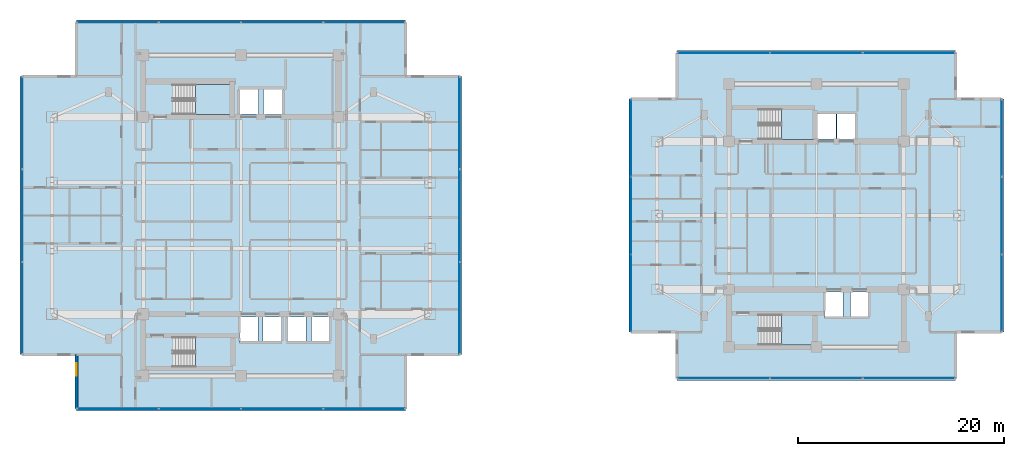
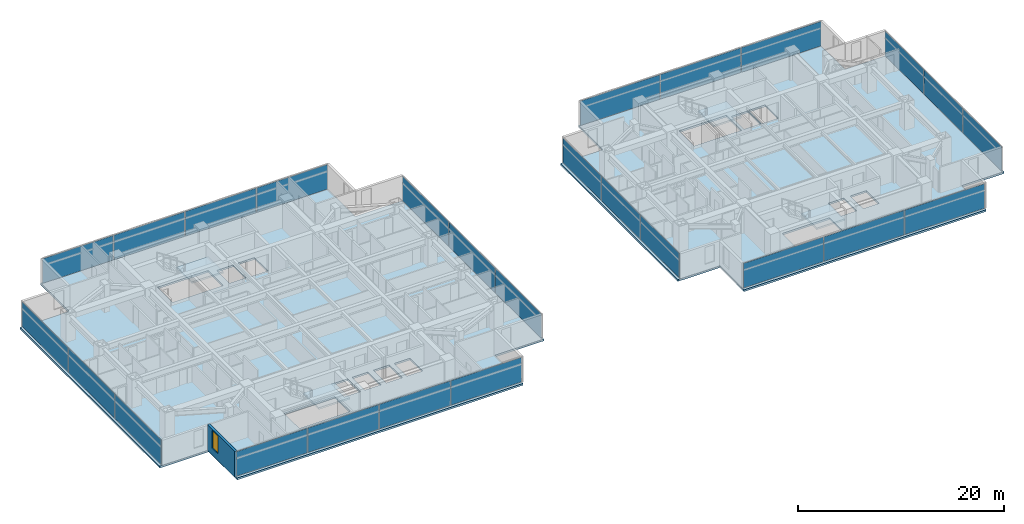
# One storey, part 11 of 24: 26 plates, 6 slabs, 1 wall, 1 window, 1 opening, 12 elements without a shape of their own.
"""IFC4 building model written with IfcOpenShell, lengths in metres."""

from ifc_helpers import new_model, si_unit, direction, frame, frame_2d, origin, origin_2d, place, context, subcontext, project, spatial, polyline, rectangle, outline, extrude, material, layer, layer_set, type_object, element, fill, aggregate, save


model = new_model("IFC4")

# Units and contexts
model_context = context("Model", 3, precision=1e-05, world=origin(), true_north=direction((0.0, 1.0)))
body_context = subcontext(model_context, "Body", "Model", "MODEL_VIEW")
ifc_project = project(units=[si_unit("LENGTHUNIT", "METRE"), si_unit("AREAUNIT", "SQUARE_METRE"), si_unit("VOLUMEUNIT", "CUBIC_METRE"), si_unit("PLANEANGLEUNIT", "RADIAN"), si_unit("MASSUNIT", "GRAM", prefix="KILO")], contexts=[model_context])

# Site, building, storey
site_placement = place(None, origin())
site = spatial("IfcSite", under=ifc_project, at=site_placement, CompositionType="ELEMENT")
building_placement = place(site_placement, origin())
building = spatial("IfcBuilding", under=site, at=building_placement, Name="Mirazonda Arch Towers", CompositionType="ELEMENT")
storey_placement = place(building_placement, frame((0.0, 0.0, 134.60009765625)))
storey = spatial("IfcBuildingStorey", under=building, at=storey_placement, Name="L38", CompositionType="ELEMENT", Elevation=134.60009765625)

# Curtain wall, plates
ifc_material_1 = material(Name="Anodised Aluminium and Low-E Glass", Category="aluminium")
curtain_wall_type = type_object("IfcCurtainWallType", Name="CW-HTL-UNIT", PredefinedType="NOTDEFINED", material=ifc_material_1)
curtain_wall_1_placement = place(storey_placement, origin())
curtain_wall_1 = element("IfcCurtainWall", 1, at=curtain_wall_1_placement, inside=storey, type_object=curtain_wall_type, Name="L38 T1 S Facade CW-L38-T1-S", PredefinedType="NOTDEFINED")
ifc_material_2 = material(Name="Insulated Low-E Solar Glass", Category="glass")
ifc_layer_1 = layer(ifc_material_2, 0.035888671875, Name="PAN-CW-HTL-UNIT")
ifc_layer_set_1 = layer_set([ifc_layer_1], Name="Insulated Low-E Solar Glass")
plate_type = type_object("IfcPlateType", Name="PAN-CW-HTL-UNIT", PredefinedType="CURTAIN_PANEL", material=ifc_layer_set_1)
plate_1_placement = place(storey_placement, frame((32.48876953125, 9.18994140625, 0.07470703125), z_axis=(0.0, 0.0, 1.0), x_axis=(-1.0, 0.0, 0.0)))
plate_1 = element("IfcPlate", 2, at=plate_1_placement, type_object=plate_type, Name="CW-112 panel 1.1", PredefinedType="CURTAIN_PANEL", context=body_context, shape_type="SweptSolid", body=[
    extrude(rectangle(XDim=7.892578125, YDim=0.035888671875, at=origin_2d()), origin(), (0.0, 0.0, 1.0), 2.909912109375),
])
plate_2_placement = place(storey_placement, frame((24.50244140625, 9.18994140625, 0.07470703125), z_axis=(0.0, 0.0, 1.0), x_axis=(-1.0, 0.0, 0.0)))
plate_2 = element("IfcPlate", 3, at=plate_2_placement, type_object=plate_type, Name="CW-112 panel 2.1", PredefinedType="CURTAIN_PANEL", context=body_context, shape_type="SweptSolid", body=[
    extrude(rectangle(XDim=7.929931640625, YDim=0.035888671875, at=origin_2d()), origin(), (0.0, 0.0, 1.0), 2.909912109375),
])
plate_3_placement = place(storey_placement, frame((16.49755859375, 9.18994140625, 0.07470703125), z_axis=(0.0, 0.0, 1.0), x_axis=(-1.0, 0.0, 0.0)))
plate_3 = element("IfcPlate", 4, at=plate_3_placement, type_object=plate_type, Name="CW-112 panel 3.1", PredefinedType="CURTAIN_PANEL", context=body_context, shape_type="SweptSolid", body=[
    extrude(rectangle(XDim=7.929931640625, YDim=0.035888671875, at=origin_2d()), origin(), (0.0, 0.0, 1.0), 2.909912109375),
])
plate_4_placement = place(storey_placement, frame((8.51123046875, 9.18994140625, 0.07470703125), z_axis=(0.0, 0.0, 1.0), x_axis=(-1.0, 0.0, 0.0)))
plate_4 = element("IfcPlate", 5, at=plate_4_placement, type_object=plate_type, Name="CW-112 panel 4.1", PredefinedType="CURTAIN_PANEL", context=body_context, shape_type="SweptSolid", body=[
    extrude(rectangle(XDim=7.892578125, YDim=0.035888671875, at=origin_2d()), origin(), (0.0, 0.0, 1.0), 2.909912109375),
])
aggregate(curtain_wall_1, [plate_1, plate_2, plate_3, plate_4])

curtain_wall_2_placement = place(storey_placement, origin())
curtain_wall_2 = element("IfcCurtainWall", 6, at=curtain_wall_2_placement, inside=storey, type_object=curtain_wall_type, Name="L38 T1 E Facade CW-L38-T1-E", PredefinedType="NOTDEFINED")
plate_5_placement = place(storey_placement, frame((41.780029296875, 18.9921875, 0.07470703125), z_axis=(0.0, 0.0, 1.0), x_axis=(0.0, 1.0, 0.0)))
plate_5 = element("IfcPlate", 7, at=plate_5_placement, type_object=plate_type, Name="CW-112 panel 1.1", PredefinedType="CURTAIN_PANEL", context=body_context, shape_type="SweptSolid", body=[
    extrude(rectangle(XDim=8.9140625, YDim=0.035888671875, at=origin_2d()), origin(), (0.0, 0.0, 1.0), 2.909912109375),
])
plate_6_placement = place(storey_placement, frame((41.780029296875, 28.0, 0.07470703125), z_axis=(0.0, 0.0, 1.0), x_axis=(0.0, 1.0, 0.0)))
plate_6 = element("IfcPlate", 8, at=plate_6_placement, type_object=plate_type, Name="CW-112 panel 2.1", PredefinedType="CURTAIN_PANEL", context=body_context, shape_type="SweptSolid", body=[
    extrude(rectangle(XDim=8.95166015625, YDim=0.035888671875, at=origin_2d()), origin(), (0.0, 0.0, 1.0), 2.909912109375),
])
plate_7_placement = place(storey_placement, frame((41.780029296875, 37.0078125, 0.07470703125), z_axis=(0.0, 0.0, 1.0), x_axis=(0.0, 1.0, 0.0)))
plate_7 = element("IfcPlate", 9, at=plate_7_placement, type_object=plate_type, Name="CW-112 panel 3.1", PredefinedType="CURTAIN_PANEL", context=body_context, shape_type="SweptSolid", body=[
    extrude(rectangle(XDim=8.9140625, YDim=0.035888671875, at=origin_2d()), origin(), (0.0, 0.0, 1.0), 2.909912109375),
])
aggregate(curtain_wall_2, [plate_5, plate_6, plate_7])

curtain_wall_3_placement = place(storey_placement, origin())
curtain_wall_3 = element("IfcCurtainWall", 10, at=curtain_wall_3_placement, inside=storey, type_object=curtain_wall_type, Name="L38 T1 N Facade CW-L38-T1-N", PredefinedType="NOTDEFINED")
plate_8_placement = place(storey_placement, frame((8.51123046875, 46.81005859375, 0.07470703125), z_axis=(0.0, 0.0, 1.0), x_axis=(1.0, 0.0, 0.0)))
plate_8 = element("IfcPlate", 11, at=plate_8_placement, type_object=plate_type, Name="CW-112 panel 1.1", PredefinedType="CURTAIN_PANEL", context=body_context, shape_type="SweptSolid", body=[
    extrude(rectangle(XDim=7.892578125, YDim=0.035888671875, at=origin_2d()), origin(), (0.0, 0.0, 1.0), 2.909912109375),
])
plate_9_placement = place(storey_placement, frame((16.49755859375, 46.81005859375, 0.07470703125), z_axis=(0.0, 0.0, 1.0), x_axis=(1.0, 0.0, 0.0)))
plate_9 = element("IfcPlate", 12, at=plate_9_placement, type_object=plate_type, Name="CW-112 panel 2.1", PredefinedType="CURTAIN_PANEL", context=body_context, shape_type="SweptSolid", body=[
    extrude(rectangle(XDim=7.929931640625, YDim=0.035888671875, at=origin_2d()), origin(), (0.0, 0.0, 1.0), 2.909912109375),
])
plate_10_placement = place(storey_placement, frame((24.50244140625, 46.81005859375, 0.07470703125), z_axis=(0.0, 0.0, 1.0), x_axis=(1.0, 0.0, 0.0)))
plate_10 = element("IfcPlate", 13, at=plate_10_placement, type_object=plate_type, Name="CW-112 panel 3.1", PredefinedType="CURTAIN_PANEL", context=body_context, shape_type="SweptSolid", body=[
    extrude(rectangle(XDim=7.929931640625, YDim=0.035888671875, at=origin_2d()), origin(), (0.0, 0.0, 1.0), 2.909912109375),
])
plate_11_placement = place(storey_placement, frame((32.48876953125, 46.81005859375, 0.07470703125), z_axis=(0.0, 0.0, 1.0), x_axis=(1.0, 0.0, 0.0)))
plate_11 = element("IfcPlate", 14, at=plate_11_placement, type_object=plate_type, Name="CW-112 panel 4.1", PredefinedType="CURTAIN_PANEL", context=body_context, shape_type="SweptSolid", body=[
    extrude(rectangle(XDim=7.892578125, YDim=0.035888671875, at=origin_2d()), origin(), (0.0, 0.0, 1.0), 2.909912109375),
])
aggregate(curtain_wall_3, [plate_8, plate_9, plate_10, plate_11])

curtain_wall_4_placement = place(storey_placement, origin())
curtain_wall_4 = element("IfcCurtainWall", 15, at=curtain_wall_4_placement, inside=storey, type_object=curtain_wall_type, Name="L38 T1 W Facade CW-L38-T1-W", PredefinedType="NOTDEFINED")
plate_12_placement = place(storey_placement, frame((-0.780029296875, 37.0078125, 0.07470703125), z_axis=(0.0, 0.0, 1.0), x_axis=(0.0, -1.0, 0.0)))
plate_12 = element("IfcPlate", 16, at=plate_12_placement, type_object=plate_type, Name="CW-112 panel 1.1", PredefinedType="CURTAIN_PANEL", context=body_context, shape_type="SweptSolid", body=[
    extrude(rectangle(XDim=8.9140625, YDim=0.035888671875, at=origin_2d()), origin(), (0.0, 0.0, 1.0), 2.909912109375),
])
plate_13_placement = place(storey_placement, frame((-0.780029296875, 28.0, 0.07470703125), z_axis=(0.0, 0.0, 1.0), x_axis=(0.0, -1.0, 0.0)))
plate_13 = element("IfcPlate", 17, at=plate_13_placement, type_object=plate_type, Name="CW-112 panel 2.1", PredefinedType="CURTAIN_PANEL", context=body_context, shape_type="SweptSolid", body=[
    extrude(rectangle(XDim=8.95166015625, YDim=0.035888671875, at=origin_2d()), origin(), (0.0, 0.0, 1.0), 2.909912109375),
])
plate_14_placement = place(storey_placement, frame((-0.780029296875, 18.9921875, 0.07470703125), z_axis=(0.0, 0.0, 1.0), x_axis=(0.0, -1.0, 0.0)))
plate_14 = element("IfcPlate", 18, at=plate_14_placement, type_object=plate_type, Name="CW-112 panel 3.1", PredefinedType="CURTAIN_PANEL", context=body_context, shape_type="SweptSolid", body=[
    extrude(rectangle(XDim=8.9140625, YDim=0.035888671875, at=origin_2d()), origin(), (0.0, 0.0, 1.0), 2.909912109375),
])
aggregate(curtain_wall_4, [plate_12, plate_13, plate_14])

curtain_wall_5_placement = place(storey_placement, origin())
curtain_wall_5 = element("IfcCurtainWall", 19, at=curtain_wall_5_placement, inside=storey, type_object=curtain_wall_type, Name="L38 T2 S Facade CW-L38-T2-S", PredefinedType="NOTDEFINED")
plate_15_placement = place(storey_placement, frame((85.513671875, 12.16455078125, 0.07470703125), z_axis=(0.0, 0.0, 1.0), x_axis=(-1.0, 0.0, 0.0)))
plate_15 = element("IfcPlate", 20, at=plate_15_placement, type_object=plate_type, Name="CW-112 panel 1.1", PredefinedType="CURTAIN_PANEL", context=body_context, shape_type="SweptSolid", body=[
    extrude(rectangle(XDim=8.919921875, YDim=0.035888671875, at=origin_2d()), origin(), (0.0, 0.0, 1.0), 2.909912109375),
])
plate_16_placement = place(storey_placement, frame((76.5, 12.16455078125, 0.07470703125), z_axis=(0.0, 0.0, 1.0), x_axis=(-1.0, 0.0, 0.0)))
plate_16 = element("IfcPlate", 21, at=plate_16_placement, type_object=plate_type, Name="CW-112 panel 2.1", PredefinedType="CURTAIN_PANEL", context=body_context, shape_type="SweptSolid", body=[
    extrude(rectangle(XDim=8.957275390625, YDim=0.035888671875, at=origin_2d()), origin(), (0.0, 0.0, 1.0), 2.909912109375),
])
plate_17_placement = place(storey_placement, frame((67.486328125, 12.16455078125, 0.07470703125), z_axis=(0.0, 0.0, 1.0), x_axis=(-1.0, 0.0, 0.0)))
plate_17 = element("IfcPlate", 22, at=plate_17_placement, type_object=plate_type, Name="CW-112 panel 3.1", PredefinedType="CURTAIN_PANEL", context=body_context, shape_type="SweptSolid", body=[
    extrude(rectangle(XDim=8.919921875, YDim=0.035888671875, at=origin_2d()), origin(), (0.0, 0.0, 1.0), 2.909912109375),
])
aggregate(curtain_wall_5, [plate_15, plate_16, plate_17])

curtain_wall_6_placement = place(storey_placement, origin())
curtain_wall_6 = element("IfcCurtainWall", 23, at=curtain_wall_6_placement, inside=storey, type_object=curtain_wall_type, Name="L38 T2 E Facade CW-L38-T2-E", PredefinedType="NOTDEFINED")
plate_18_placement = place(storey_placement, frame((94.534912109375, 20.45263671875, 0.07470703125), z_axis=(0.0, 0.0, 1.0), x_axis=(0.0, 1.0, 0.0)))
plate_18 = element("IfcPlate", 24, at=plate_18_placement, type_object=plate_type, Name="CW-112 panel 1.1", PredefinedType="CURTAIN_PANEL", context=body_context, shape_type="SweptSolid", body=[
    extrude(rectangle(XDim=7.45361328125, YDim=0.035888671875, at=origin_2d()), origin(), (0.0, 0.0, 1.0), 2.909912109375),
])
plate_19_placement = place(storey_placement, frame((94.534912109375, 28.0, 0.07470703125), z_axis=(0.0, 0.0, 1.0), x_axis=(0.0, 1.0, 0.0)))
plate_19 = element("IfcPlate", 25, at=plate_19_placement, type_object=plate_type, Name="CW-112 panel 2.1", PredefinedType="CURTAIN_PANEL", context=body_context, shape_type="SweptSolid", body=[
    extrude(rectangle(XDim=7.490966796875, YDim=0.035888671875, at=origin_2d()), origin(), (0.0, 0.0, 1.0), 2.909912109375),
])
plate_20_placement = place(storey_placement, frame((94.534912109375, 35.54736328125, 0.07470703125), z_axis=(0.0, 0.0, 1.0), x_axis=(0.0, 1.0, 0.0)))
plate_20 = element("IfcPlate", 26, at=plate_20_placement, type_object=plate_type, Name="CW-112 panel 3.1", PredefinedType="CURTAIN_PANEL", context=body_context, shape_type="SweptSolid", body=[
    extrude(rectangle(XDim=7.45361328125, YDim=0.035888671875, at=origin_2d()), origin(), (0.0, 0.0, 1.0), 2.909912109375),
])
aggregate(curtain_wall_6, [plate_18, plate_19, plate_20])

curtain_wall_7_placement = place(storey_placement, origin())
curtain_wall_7 = element("IfcCurtainWall", 27, at=curtain_wall_7_placement, inside=storey, type_object=curtain_wall_type, Name="L38 T2 N Facade CW-L38-T2-N", PredefinedType="NOTDEFINED")
plate_21_placement = place(storey_placement, frame((67.486328125, 43.83544921875, 0.07470703125), z_axis=(0.0, 0.0, 1.0), x_axis=(1.0, 0.0, 0.0)))
plate_21 = element("IfcPlate", 28, at=plate_21_placement, type_object=plate_type, Name="CW-112 panel 1.1", PredefinedType="CURTAIN_PANEL", context=body_context, shape_type="SweptSolid", body=[
    extrude(rectangle(XDim=8.919921875, YDim=0.035888671875, at=origin_2d()), origin(), (0.0, 0.0, 1.0), 2.909912109375),
])
plate_22_placement = place(storey_placement, frame((76.5, 43.83544921875, 0.07470703125), z_axis=(0.0, 0.0, 1.0), x_axis=(1.0, 0.0, 0.0)))
plate_22 = element("IfcPlate", 29, at=plate_22_placement, type_object=plate_type, Name="CW-112 panel 2.1", PredefinedType="CURTAIN_PANEL", context=body_context, shape_type="SweptSolid", body=[
    extrude(rectangle(XDim=8.957275390625, YDim=0.035888671875, at=origin_2d()), origin(), (0.0, 0.0, 1.0), 2.909912109375),
])
plate_23_placement = place(storey_placement, frame((85.513671875, 43.83544921875, 0.07470703125), z_axis=(0.0, 0.0, 1.0), x_axis=(1.0, 0.0, 0.0)))
plate_23 = element("IfcPlate", 30, at=plate_23_placement, type_object=plate_type, Name="CW-112 panel 3.1", PredefinedType="CURTAIN_PANEL", context=body_context, shape_type="SweptSolid", body=[
    extrude(rectangle(XDim=8.919921875, YDim=0.035888671875, at=origin_2d()), origin(), (0.0, 0.0, 1.0), 2.909912109375),
])
aggregate(curtain_wall_7, [plate_21, plate_22, plate_23])

curtain_wall_8_placement = place(storey_placement, origin())
curtain_wall_8 = element("IfcCurtainWall", 31, at=curtain_wall_8_placement, inside=storey, type_object=curtain_wall_type, Name="L38 T2 W Facade CW-L38-T2-W", PredefinedType="NOTDEFINED")
plate_24_placement = place(storey_placement, frame((58.465087890625, 35.54736328125, 0.07470703125), z_axis=(0.0, 0.0, 1.0), x_axis=(0.0, -1.0, 0.0)))
plate_24 = element("IfcPlate", 32, at=plate_24_placement, type_object=plate_type, Name="CW-112 panel 1.1", PredefinedType="CURTAIN_PANEL", context=body_context, shape_type="SweptSolid", body=[
    extrude(rectangle(XDim=7.45361328125, YDim=0.035888671875, at=origin_2d()), origin(), (0.0, 0.0, 1.0), 2.909912109375),
])
plate_25_placement = place(storey_placement, frame((58.465087890625, 28.0, 0.07470703125), z_axis=(0.0, 0.0, 1.0), x_axis=(0.0, -1.0, 0.0)))
plate_25 = element("IfcPlate", 33, at=plate_25_placement, type_object=plate_type, Name="CW-112 panel 2.1", PredefinedType="CURTAIN_PANEL", context=body_context, shape_type="SweptSolid", body=[
    extrude(rectangle(XDim=7.490966796875, YDim=0.035888671875, at=origin_2d()), origin(), (0.0, 0.0, 1.0), 2.909912109375),
])
plate_26_placement = place(storey_placement, frame((58.465087890625, 20.45263671875, 0.07470703125), z_axis=(0.0, 0.0, 1.0), x_axis=(0.0, -1.0, 0.0)))
plate_26 = element("IfcPlate", 34, at=plate_26_placement, type_object=plate_type, Name="CW-112 panel 3.1", PredefinedType="CURTAIN_PANEL", context=body_context, shape_type="SweptSolid", body=[
    extrude(rectangle(XDim=7.45361328125, YDim=0.035888671875, at=origin_2d()), origin(), (0.0, 0.0, 1.0), 2.909912109375),
])
aggregate(curtain_wall_8, [plate_24, plate_25, plate_26])

# Stair, slab
ifc_material_3 = material(Name="Concrete C40/50", Category="concrete")
stair_type = type_object("IfcStairType", Name="STAIR-CORE-1400", PredefinedType="HALF_TURN_STAIR", material=ifc_material_3)
stair_1_placement = place(storey_placement, origin())
stair_1 = element("IfcStair", 35, at=stair_1_placement, inside=storey, type_object=stair_type, Name="L38 Protected Exit Stair ST-T1N", PredefinedType="HALF_TURN_STAIR")
ifc_layer_2 = layer(ifc_material_3, 0.18994140625, Name="SLAB-LANDING-190")
ifc_layer_set_2 = layer_set([ifc_layer_2], Name="Concrete C40/50")
slab_type_1 = type_object("IfcSlabType", Name="SLAB-LANDING-190", PredefinedType="LANDING", material=ifc_layer_set_2)
slab_1_placement = place(storey_placement, frame((0.0, 0.0, 1.449951171875)))
slab_1 = element("IfcSlab", 36, at=slab_1_placement, type_object=slab_type_1, Name="ST-T1N landing 1", PredefinedType="LANDING", context=body_context, shape_type="SweptSolid", body=[
    extrude(outline(polyline([(16.090087890625, 37.820068359375), (19.60009765625, 37.820068359375), (19.60009765625, 40.760009765625), (16.090087890625, 40.760009765625), (16.090087890625, 37.820068359375)])), origin(), (0.0, 0.0, 1.0), 0.199951171875),
])
aggregate(stair_1, [slab_1])

stair_2_placement = place(storey_placement, origin())
stair_2 = element("IfcStair", 37, at=stair_2_placement, inside=storey, type_object=stair_type, Name="L38 Protected Exit Stair ST-T1S", PredefinedType="HALF_TURN_STAIR")
slab_2_placement = place(storey_placement, frame((0.0, 0.0, 1.449951171875)))
slab_2 = element("IfcSlab", 38, at=slab_2_placement, type_object=slab_type_1, Name="ST-T1S landing 1", PredefinedType="LANDING", context=body_context, shape_type="SweptSolid", body=[
    extrude(outline(polyline([(16.090087890625, 13.25), (19.60009765625, 13.25), (19.60009765625, 16.18994140625), (16.090087890625, 16.18994140625), (16.090087890625, 13.25)])), origin(), (0.0, 0.0, 1.0), 0.199951171875),
])
aggregate(stair_2, [slab_2])

stair_3_placement = place(storey_placement, origin())
stair_3 = element("IfcStair", 39, at=stair_3_placement, inside=storey, type_object=stair_type, Name="L38 Protected Exit Stair ST-T2N", PredefinedType="HALF_TURN_STAIR")
slab_3_placement = place(storey_placement, frame((0.0, 0.0, 1.449951171875)))
slab_3 = element("IfcSlab", 40, at=slab_3_placement, type_object=slab_type_1, Name="ST-T2N landing 1", PredefinedType="LANDING", context=body_context, shape_type="SweptSolid", body=[
    extrude(outline(polyline([(73.090087890625, 35.419921875), (76.22998046875, 35.419921875), (76.22998046875, 38.360107421875), (73.090087890625, 38.360107421875), (73.090087890625, 35.419921875)])), origin(), (0.0, 0.0, 1.0), 0.199951171875),
])
aggregate(stair_3, [slab_3])

stair_4_placement = place(storey_placement, origin())
stair_4 = element("IfcStair", 41, at=stair_4_placement, inside=storey, type_object=stair_type, Name="L38 Protected Exit Stair ST-T2S", PredefinedType="HALF_TURN_STAIR")
slab_4_placement = place(storey_placement, frame((0.0, 0.0, 1.449951171875)))
slab_4 = element("IfcSlab", 42, at=slab_4_placement, type_object=slab_type_1, Name="ST-T2S landing 1", PredefinedType="LANDING", context=body_context, shape_type="SweptSolid", body=[
    extrude(outline(polyline([(73.090087890625, 15.419921875), (76.22998046875, 15.419921875), (76.22998046875, 18.360107421875), (73.090087890625, 18.360107421875), (73.090087890625, 15.419921875)])), origin(), (0.0, 0.0, 1.0), 0.199951171875),
])
aggregate(stair_4, [slab_4])

# Slabs
ifc_layer_3 = layer(ifc_material_3, 0.219970703125, Name="SLAB-TWR-220")
ifc_layer_set_3 = layer_set([ifc_layer_3], Name="Concrete C40/50")
slab_type_2 = type_object("IfcSlabType", Name="SLAB-TWR-220", PredefinedType="FLOOR", material=ifc_layer_set_3)
slab_5_placement = place(storey_placement, frame((0.0, 0.0, -0.22021484375)))
element("IfcSlab", 43, at=slab_5_placement, inside=storey, type_object=slab_type_2, Name="L38 Tower 1 Floor Slab", PredefinedType="FLOOR", context=body_context, shape_type="SweptSolid", body=[
    extrude(outline(polyline([(4.489990234375, 8.969970703125), (36.510009765625, 8.969970703125), (36.510009765625, 14.4599609375), (42.0, 14.4599609375), (42.0, 41.5400390625), (36.510009765625, 41.5400390625), (36.510009765625, 47.030029296875), (4.489990234375, 47.030029296875), (4.489990234375, 41.5400390625), (-1.0, 41.5400390625), (-1.0, 14.4599609375), (4.489990234375, 14.4599609375), (4.489990234375, 8.969970703125)]), holes=[polyline([(27.360107421875, 18.139892578125), (29.139892578125, 18.139892578125), (29.139892578125, 15.659912109375), (27.360107421875, 15.659912109375), (27.360107421875, 18.139892578125)]), polyline([(25.06005859375, 18.139892578125), (26.840087890625, 18.139892578125), (26.840087890625, 15.659912109375), (25.06005859375, 15.659912109375), (25.06005859375, 18.139892578125)]), polyline([(22.7099609375, 40.389892578125), (24.590087890625, 40.389892578125), (24.590087890625, 37.81005859375), (22.7099609375, 37.81005859375), (22.7099609375, 40.389892578125)]), polyline([(22.659912109375, 18.139892578125), (24.43994140625, 18.139892578125), (24.43994140625, 15.659912109375), (22.659912109375, 15.659912109375), (22.659912109375, 18.139892578125)]), polyline([(20.31005859375, 40.340087890625), (22.18994140625, 40.340087890625), (22.18994140625, 37.860107421875), (20.31005859375, 37.860107421875), (20.31005859375, 40.340087890625)]), polyline([(20.360107421875, 18.139892578125), (22.139892578125, 18.139892578125), (22.139892578125, 15.659912109375), (20.360107421875, 15.659912109375), (20.360107421875, 18.139892578125)]), polyline([(13.925048828125, 13.25), (13.925048828125, 16.18994140625), (19.60009765625, 16.18994140625), (19.60009765625, 13.25), (13.925048828125, 13.25)]), polyline([(13.925048828125, 37.820068359375), (13.925048828125, 40.760009765625), (19.60009765625, 40.760009765625), (19.60009765625, 37.820068359375), (13.925048828125, 37.820068359375)])]), origin(), (0.0, 0.0, 1.0), 0.22021484375),
])
slab_6_placement = place(storey_placement, frame((0.0, 0.0, -0.22021484375)))
element("IfcSlab", 44, at=slab_6_placement, inside=storey, type_object=slab_type_2, Name="L38 Tower 2 Floor Slab", PredefinedType="FLOOR", context=body_context, shape_type="SweptSolid", body=[
    extrude(outline(polyline([(62.951416015625, 11.944580078125), (90.048583984375, 11.944580078125), (90.048583984375, 16.65087890625), (94.7548828125, 16.65087890625), (94.7548828125, 39.34912109375), (90.048583984375, 39.34912109375), (90.048583984375, 44.055419921875), (62.951416015625, 44.055419921875), (62.951416015625, 39.34912109375), (58.2451171875, 39.34912109375), (58.2451171875, 16.65087890625), (62.951416015625, 16.65087890625), (62.951416015625, 11.944580078125)]), holes=[polyline([(79.81005859375, 20.5400390625), (81.590087890625, 20.5400390625), (81.590087890625, 18.06005859375), (79.81005859375, 18.06005859375), (79.81005859375, 20.5400390625)]), polyline([(78.47998046875, 37.989990234375), (80.360107421875, 37.989990234375), (80.360107421875, 35.409912109375), (78.47998046875, 35.409912109375), (78.47998046875, 37.989990234375)]), polyline([(77.31005859375, 20.5400390625), (79.090087890625, 20.5400390625), (79.090087890625, 18.06005859375), (77.31005859375, 18.06005859375), (77.31005859375, 20.5400390625)]), polyline([(76.510009765625, 35.4599609375), (76.510009765625, 37.93994140625), (78.389892578125, 37.93994140625), (78.389892578125, 35.4599609375), (76.510009765625, 35.4599609375)]), polyline([(76.22998046875, 15.419921875), (70.925048828125, 15.419921875), (70.925048828125, 18.360107421875), (76.22998046875, 18.360107421875), (76.22998046875, 15.419921875)]), polyline([(70.925048828125, 35.419921875), (70.925048828125, 38.360107421875), (76.22998046875, 38.360107421875), (76.22998046875, 35.419921875), (70.925048828125, 35.419921875)])]), origin(), (0.0, 0.0, 1.0), 0.22021484375),
])

# Wall, opening, window
ifc_material_4 = material(Name="Precast Concrete C40/50", Category="concrete")
ifc_layer_4 = layer(ifc_material_4, 0.280029296875, Name="WALL-EXT-WALL-280")
ifc_layer_set_4 = layer_set([ifc_layer_4], Name="Precast Concrete C40/50")
wall_type = type_object("IfcWallType", Name="WALL-EXT-WALL-280", PredefinedType="SOLIDWALL", material=ifc_layer_set_4)
wall_placement = place(storey_placement, frame((4.489990234375, 14.4599609375, 0.0), z_axis=(0.0, 0.0, 1.0), x_axis=(0.0, -1.0, 0.0)))
wall = element("IfcWall", 45, at=wall_placement, inside=storey, type_object=wall_type, Name="L38 T1 Notched SW Corner Wall WL-L38-T1-CSW", PredefinedType="SOLIDWALL", context=body_context, shape_type="SweptSolid", body=[
    extrude(rectangle(XDim=5.27001953125, YDim=0.280029296875, at=frame_2d((2.635009765625, 0.0))), origin(), (0.0, 0.0, 1.0), 3.059814453125),
])
opening_placement = place(wall_placement, frame((0.85009765625, 0.0, 0.81005859375)))
opening = element("IfcOpeningElement", 46, at=opening_placement, cuts=wall, Name="Opening WN-122", PredefinedType="OPENING", context=body_context, shape_type="SweptSolid", body=[
    extrude(rectangle(XDim=1.199951171875, YDim=2.10009765625, at=frame_2d((0.60009765625, 1.050048828125))), frame((0.0, 0.14990234375, 0.0), z_axis=(0.0, -1.0, 0.0), x_axis=(1.0, 0.0, 0.0)), (0.0, 0.0, 1.0), 0.300048828125),
])
window_type = type_object("IfcWindowType", Name="WIN-HTL-1200x2100", PartitioningType="SINGLE_PANEL", PredefinedType="WINDOW", material=ifc_material_2)
window_placement = place(opening_placement, origin())
window = element("IfcWindow", 47, at=window_placement, inside=storey, type_object=window_type, Name="L38 Punched Facade Window WN-L38-T1-CSW", OverallHeight=2.10009765625, OverallWidth=1.199951171875, PartitioningType="SINGLE_PANEL", PredefinedType="WINDOW", context=body_context, shape_type="SweptSolid", body=[
    extrude(rectangle(XDim=1.199951171875, YDim=2.10009765625, at=frame_2d((0.60009765625, 1.050048828125))), frame((0.0, 0.030029296875, 0.0), z_axis=(0.0, -1.0, 0.0), x_axis=(1.0, 0.0, 0.0)), (0.0, 0.0, 1.0), 0.06005859375),
])
fill(opening, window)

save(model, "model.ifc")
